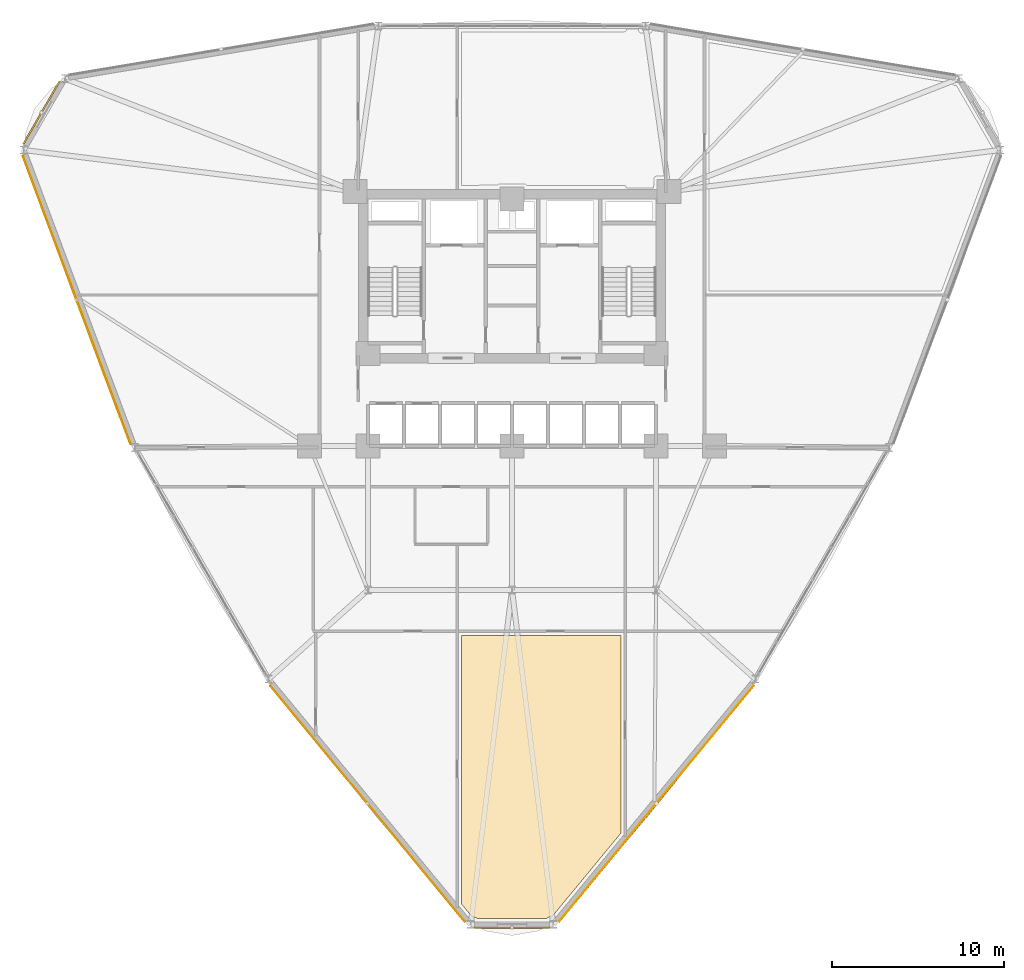
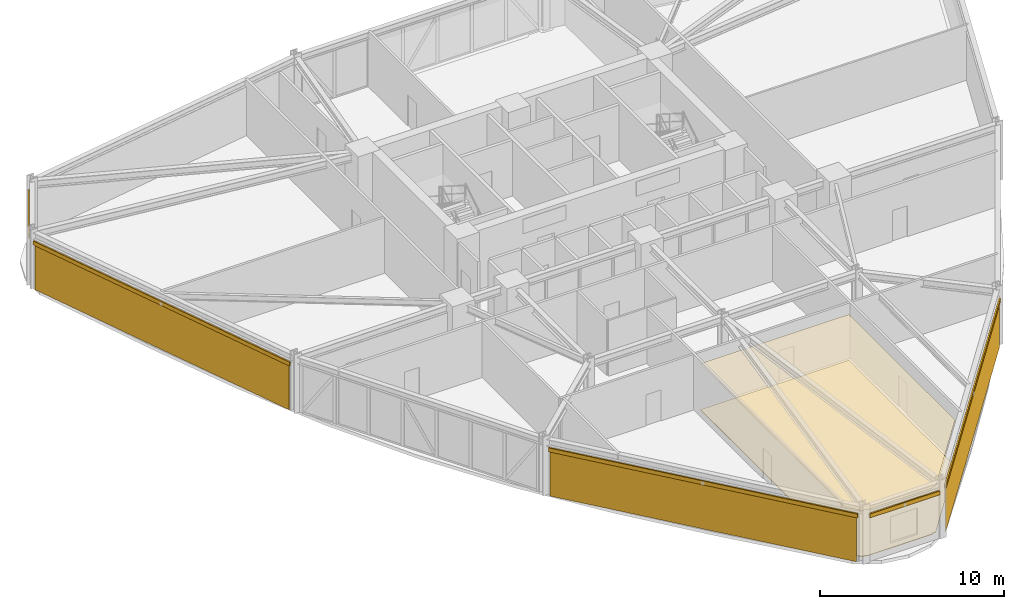
# One storey, part 20 of 22: 5 coverings, 5 shading devices.
"""IFC4 building model written with IfcOpenShell, lengths in metres."""

from ifc_helpers import new_model, si_unit, derived_unit, direction, frame, origin, origin_2d, place, context, subcontext, project, spatial, polyline, hollow_rectangle, outline, extrude, source, transform, mapped, material, layer, layer_set, material_profile, profile_set, type_object, element, save


model = new_model("IFC4")

# Units and contexts
model_context = context("Model", 3, precision=1e-05, world=origin(), true_north=direction((0.0, 1.0)))
body_context = subcontext(model_context, "Body", "Model", "MODEL_VIEW")
ifc_project = project(units=[si_unit("LENGTHUNIT", "METRE"), si_unit("AREAUNIT", "SQUARE_METRE"), si_unit("VOLUMEUNIT", "CUBIC_METRE"), si_unit("PLANEANGLEUNIT", "RADIAN"), si_unit("MASSUNIT", "GRAM", prefix="KILO"), derived_unit("THERMALTRANSMITTANCEUNIT", [(si_unit("POWERUNIT", "WATT"), 1), (si_unit("LENGTHUNIT", "METRE"), -2), (si_unit("THERMODYNAMICTEMPERATUREUNIT", "KELVIN"), -1)])], contexts=[model_context])

# Site, building, storey
site_placement = place(None, origin())
site = spatial("IfcSite", under=ifc_project, at=site_placement, CompositionType="ELEMENT")
building_placement = place(site_placement, origin())
building = spatial("IfcBuilding", under=site, at=building_placement, Name="Korsvarv Bourse and Concert Hall", CompositionType="ELEMENT")
storey_placement = place(building_placement, frame((0.0, 0.0, 51.300048828125)))
storey = spatial("IfcBuildingStorey", under=building, at=storey_placement, Name="L12", CompositionType="ELEMENT", Elevation=51.300048828125)

# Coverings
ifc_material_1 = material(Name="Perforated mineral-wool and birch acoustic baffle ceiling", Category="wood")
ifc_layer_1 = layer(ifc_material_1, 0.02490234375)
ifc_layer_set_1 = layer_set([ifc_layer_1], Name="Perforated mineral-wool and birch acoustic baffle ceiling")
covering_type_1 = type_object("IfcCoveringType", Name="COV-CEIL-1", PredefinedType="CEILING", material=ifc_layer_set_1)
covering_1_placement = place(storey_placement, frame((0.0, 0.0, 3.06005859375)))
element("IfcCovering", 1, at=covering_1_placement, inside=storey, type_object=covering_type_1, Name="L12 acoustic baffle ceiling 2", PredefinedType="CEILING", context=body_context, shape_type="SweptSolid", body=[
    extrude(outline(polyline([(33.9580078125, 4.857421875), (33.934326171875, 4.88232421875), (33.906494140625, 4.902099609375), (33.875244140625, 4.916259765625), (33.842041015625, 4.92431640625), (33.6865234375, 4.932373046875), (33.050048828125, 5.7041015625), (33.050048828125, 21.35009765625), (42.35009765625, 21.35009765625), (42.35009765625, 9.828125), (38.316650390625, 4.93603515625), (38.193359375, 4.93603515625), (38.15869140625, 4.9326171875), (38.125, 4.922607421875), (38.09423828125, 4.906494140625), (38.067138671875, 4.884521484375), (38.044677734375, 4.857666015625), (33.9580078125, 4.857421875)])), origin(), (0.0, 0.0, 1.0), 0.02490234375),
])
ifc_material_2 = material(Name="Warm iron-oxide extruded terracotta rainscreen tile", Category="ceramic")
ifc_layer_2 = layer(ifc_material_2, 0.044921875)
ifc_layer_set_2 = layer_set([ifc_layer_2], Name="Warm iron-oxide extruded terracotta rainscreen tile")
covering_type_2 = type_object("IfcCoveringType", Name="COV-CLD-TC", PredefinedType="CLADDING", material=ifc_layer_set_2)
covering_2_placement = place(storey_placement, origin())
element("IfcCovering", 2, at=covering_2_placement, inside=storey, type_object=covering_type_2, Name="L12 fluted terracotta cladding panel EW-L12-B06", PredefinedType="CLADDING", context=body_context, shape_type="SweptSolid", body=[
    extrude(outline(polyline([(7.517578125, 49.298095703125), (13.771728515625, 32.566650390625), (13.729736328125, 32.55078125), (7.475341796875, 49.282470703125), (7.517578125, 49.298095703125)])), origin(), (0.0, 0.0, 1.0), 2.909912109375),
])
covering_3_placement = place(storey_placement, origin())
element("IfcCovering", 3, at=covering_3_placement, inside=storey, type_object=covering_type_2, Name="L12 fluted terracotta cladding panel EW-L12-B08", PredefinedType="CLADDING", context=body_context, shape_type="SweptSolid", body=[
    extrude(outline(polyline([(21.94775390625, 18.423828125), (33.239990234375, 4.726806640625), (33.205322265625, 4.6982421875), (21.9130859375, 18.395263671875), (21.94775390625, 18.423828125)])), origin(), (0.0, 0.0, 1.0), 2.909912109375),
])
covering_4_placement = place(storey_placement, origin())
element("IfcCovering", 4, at=covering_4_placement, inside=storey, type_object=covering_type_2, Name="L12 fluted terracotta cladding panel EW-L12-B10", PredefinedType="CLADDING", context=body_context, shape_type="SweptSolid", body=[
    extrude(outline(polyline([(38.760009765625, 4.726806640625), (50.05224609375, 18.423828125), (50.0869140625, 18.395263671875), (38.794677734375, 4.6982421875), (38.760009765625, 4.726806640625)])), origin(), (0.0, 0.0, 1.0), 2.909912109375),
])
ifc_material_3 = material(Name="Calcium-sulphate raised access trading floor with Nordic oak top", Category="wood")
ifc_layer_3 = layer(ifc_material_3, 0.0400390625)
ifc_layer_set_3 = layer_set([ifc_layer_3], Name="Calcium-sulphate raised access trading floor with Nordic oak top")
covering_type_3 = type_object("IfcCoveringType", Name="COV-FLOR-1", PredefinedType="FLOORING", material=ifc_layer_set_3)
covering_5_placement = place(storey_placement, origin())
element("IfcCovering", 5, at=covering_5_placement, inside=storey, type_object=covering_type_3, Name="L12 raised access oak floor finish 2", PredefinedType="FLOORING", context=body_context, shape_type="SweptSolid", body=[
    extrude(outline(polyline([(33.9580078125, 4.857421875), (33.934326171875, 4.88232421875), (33.906494140625, 4.902099609375), (33.875244140625, 4.916259765625), (33.842041015625, 4.92431640625), (33.6865234375, 4.932373046875), (33.050048828125, 5.7041015625), (33.050048828125, 21.35009765625), (42.35009765625, 21.35009765625), (42.35009765625, 9.828125), (38.316650390625, 4.93603515625), (38.193359375, 4.93603515625), (38.15869140625, 4.9326171875), (38.125, 4.922607421875), (38.09423828125, 4.906494140625), (38.067138671875, 4.884521484375), (38.044677734375, 4.857666015625), (33.9580078125, 4.857421875)])), origin(), (0.0, 0.0, 1.0), 0.0400390625),
])

# Shading devices
ifc_material_4 = material(Name="Glazed extruded architectural terracotta", Category="ceramic")
ifc_material_profile = material_profile(ifc_material_4, hollow_rectangle(XDim=0.090087890625, YDim=0.260009765625, WallThickness=0.011962890625, at=origin_2d()), Name="TC-BAG 90x260")
ifc_profile_set = profile_set([ifc_material_profile], Name="Glazed extruded architectural terracotta")
shading_device_type = type_object("IfcShadingDeviceType", Name="SHD-BAG-1", PredefinedType="USERDEFINED", material=ifc_profile_set)
shared_shape_1 = source(origin(), body_context, "Body", "SweptSolid", [
    extrude(hollow_rectangle(XDim=0.090087890625, YDim=0.260009765625, WallThickness=0.011962890625, at=origin_2d()), origin(), (0.0, 0.0, 1.0), 4.251708984375),
])
shading_device_1_placement = place(storey_placement, frame((9.630859375, 53.678955078125, 3.070068359375), z_axis=(-0.500017365573, -0.866015377534, 0.0), x_axis=(0.866015377534, -0.500017365573, 0.0)))
element("IfcShadingDevice", 6, at=shading_device_1_placement, inside=storey, type_object=shading_device_type, Name="L12 terracotta baguette sunshade EW-L12-B05", ObjectType="BAGUETTE", PredefinedType="USERDEFINED", context=body_context, shape_type="MappedRepresentation", body=[
    mapped(shared_shape_1, transform((0.0, 0.0, 0.0), scale=1.0)),
])
shared_shape_2 = source(origin(), body_context, "Body", "SweptSolid", [
    extrude(hollow_rectangle(XDim=0.090087890625, YDim=0.260009765625, WallThickness=0.011962890625, at=origin_2d()), origin(), (0.0, 0.0, 1.0), 18.022216796875),
])
shading_device_2_placement = place(storey_placement, frame((7.451904296875, 49.359130859375, 3.070068359375), z_axis=(0.350152351757, -0.936692762094, 0.0), x_axis=(0.936692762094, 0.350152351757, 0.0)))
element("IfcShadingDevice", 7, at=shading_device_2_placement, inside=storey, type_object=shading_device_type, Name="L12 terracotta baguette sunshade EW-L12-B06", ObjectType="BAGUETTE", PredefinedType="USERDEFINED", context=body_context, shape_type="MappedRepresentation", body=[
    mapped(shared_shape_2, transform((0.0, 0.0, 0.0), scale=1.0)),
])
shared_shape_3 = source(origin(), body_context, "Body", "SweptSolid", [
    extrude(hollow_rectangle(XDim=0.090087890625, YDim=0.260009765625, WallThickness=0.011962890625, at=origin_2d()), origin(), (0.0, 0.0, 1.0), 17.911865234375),
])
for number, where, z_axis, x_axis, name in (
    (8, (21.865966796875, 18.460205078125, 3.070068359375), (0.636134749951, -0.771577980443, 0.0), (0.771577980443, 0.636134749951, 0.0), "L12 terracotta baguette sunshade EW-L12-B08"),
    (9, (38.73974609375, 4.639892578125, 3.070068359375), (0.636134749951, 0.771577980443, 0.0), (-0.771577980443, 0.636134749951, 0.0), "L12 terracotta baguette sunshade EW-L12-B10"),
):
    element("IfcShadingDevice", number, at=place(storey_placement, frame(where, z_axis=z_axis, x_axis=x_axis)), inside=storey, type_object=shading_device_type, Name=name, ObjectType="BAGUETTE", PredefinedType="USERDEFINED", context=body_context, shape_type="MappedRepresentation", body=[
        mapped(shared_shape_3, transform((0.0, 0.0, 0.0), scale=1.0)),
    ])
shared_shape_4 = source(origin(), body_context, "Body", "SweptSolid", [
    extrude(hollow_rectangle(XDim=0.090087890625, YDim=0.260009765625, WallThickness=0.011962890625, at=origin_2d()), origin(), (0.0, 0.0, 1.0), 4.37646484375),
])
shading_device_3_placement = place(storey_placement, frame((33.811767578125, 4.32421875, 3.070068359375), z_axis=(1.0, 0.0, 0.0), x_axis=(0.0, 1.0, 0.0)))
element("IfcShadingDevice", 10, at=shading_device_3_placement, inside=storey, type_object=shading_device_type, Name="L12 terracotta baguette sunshade EW-L12-B09", ObjectType="BAGUETTE", PredefinedType="USERDEFINED", context=body_context, shape_type="MappedRepresentation", body=[
    mapped(shared_shape_4, transform((0.0, 0.0, 0.0), scale=1.0)),
])

save(model, "model.ifc")
